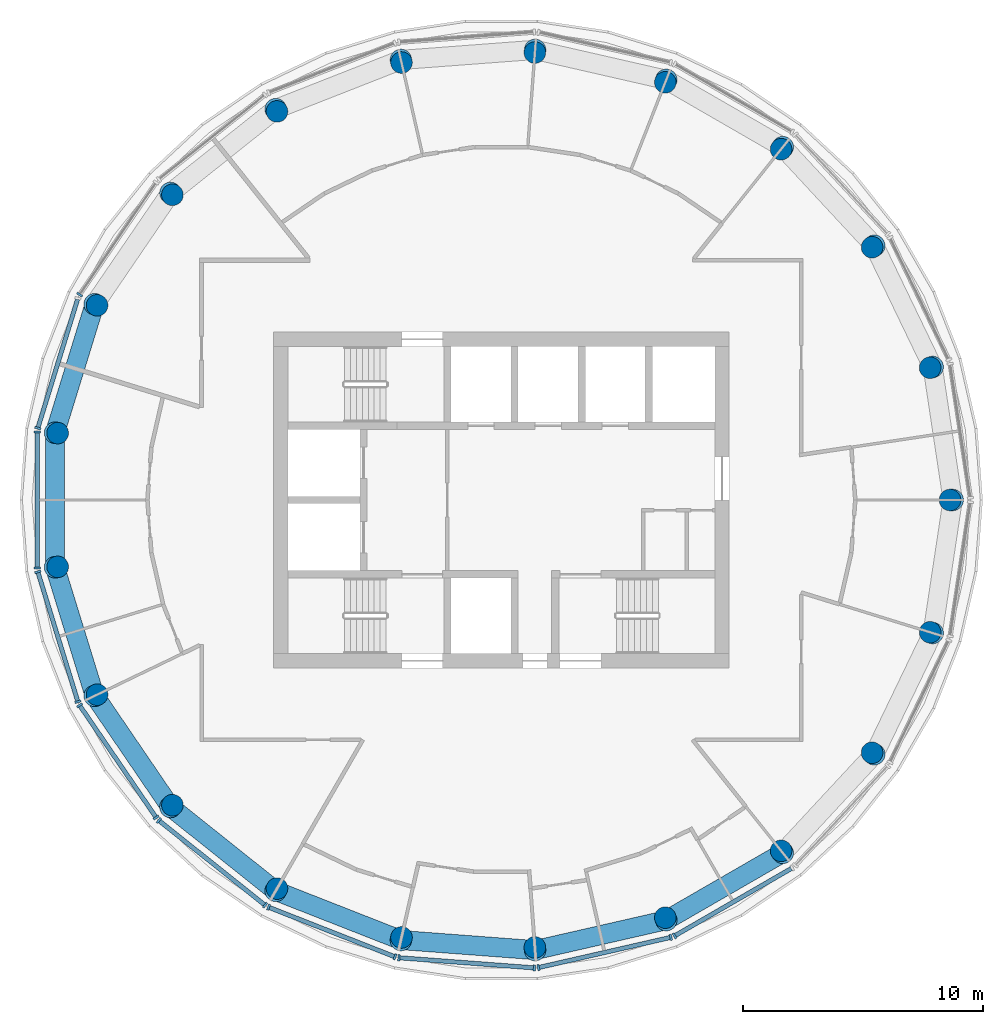
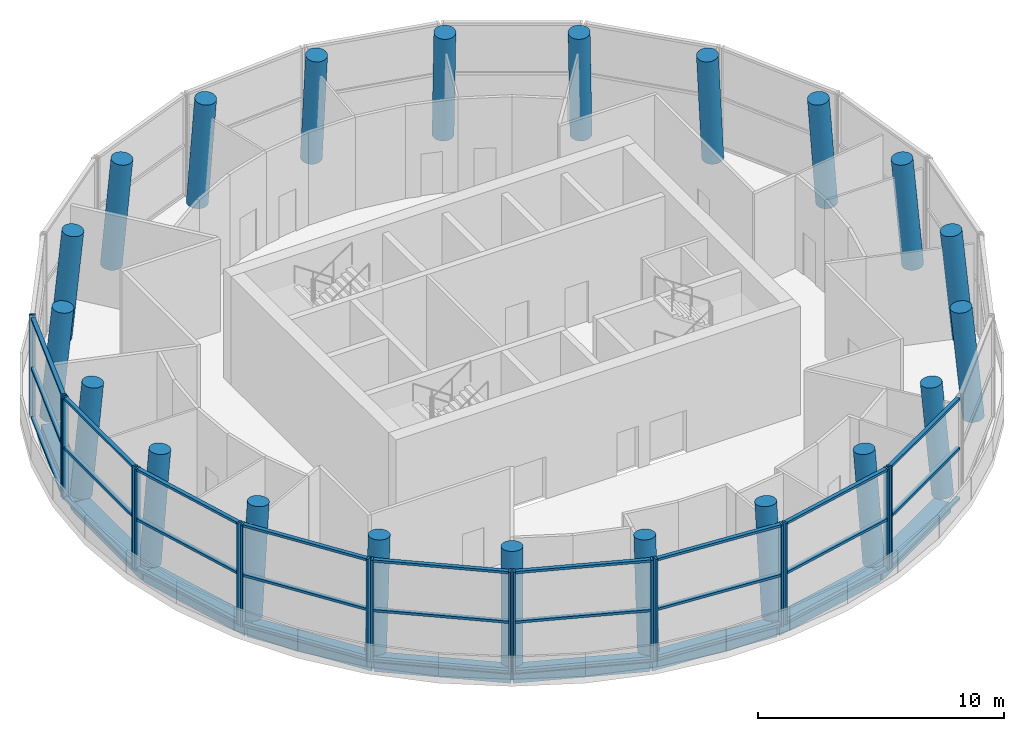
# One storey, part 1 of 11: 44 members, 21 columns, 9 beams, 10 elements without a shape of their own.
"""IFC4 building model written with IfcOpenShell, lengths in metres."""

from ifc_helpers import new_model, si_unit, direction, frame, origin, origin_2d, place, context, subcontext, project, spatial, rectangle, circle, extrude, material, material_profile, profile_set, type_object, element, aggregate, save


model = new_model("IFC4")

# Units and contexts
model_context = context("Model", 3, precision=1e-05, world=origin(), true_north=direction((0.0, 1.0)))
body_context = subcontext(model_context, "Body", "Model", "MODEL_VIEW")
ifc_project = project(units=[si_unit("LENGTHUNIT", "METRE"), si_unit("AREAUNIT", "SQUARE_METRE"), si_unit("VOLUMEUNIT", "CUBIC_METRE"), si_unit("PLANEANGLEUNIT", "RADIAN"), si_unit("MASSUNIT", "GRAM", prefix="KILO")], contexts=[model_context])

# Site, building, storey
site_placement = place(None, origin())
site = spatial("IfcSite", under=ifc_project, at=site_placement, CompositionType="ELEMENT")
building_placement = place(site_placement, origin())
building = spatial("IfcBuilding", under=site, at=building_placement, Name="Tracery Tower", CompositionType="ELEMENT")
storey_placement = place(building_placement, frame((0.0, 0.0, 330.60009765625)))
storey = spatial("IfcBuildingStorey", under=building, at=storey_placement, Name="L86", CompositionType="ELEMENT", Elevation=330.60009765625)

# Columns
ifc_material_1 = material(Name="Concrete C40/50", Category="concrete")
ifc_material_profile_1 = material_profile(ifc_material_1, circle(Radius=0.449951171875, at=origin_2d()), Name="RC D900")
ifc_profile_set_1 = profile_set([ifc_material_profile_1], Name="Concrete C40/50")
column_type = type_object("IfcColumnType", Name="Ring 2 column 900", PredefinedType="COLUMN", material=ifc_profile_set_1)
for number, where, z_axis, x_axis, name in (
    (1, (18.822265625, 0.0, 0.0), (-0.092199863775, 0.0, 0.995740520979), (0.0, -1.0, 0.0), "Ring 2 column 00 at L86"),
    (2, (17.986083984375, 5.5478515625, 0.0), (-0.088103168016, -0.027146760508, 0.995741374645), (0.294463292182, -0.955662790715, 0.0), "Ring 2 column 01 at L86"),
    (3, (15.551513671875, 10.602783203125, 0.0), (-0.076173091106, -0.051907549672, 0.995742570386), (0.563124638155, -0.826371975506, 0.0), "Ring 2 column 02 at L86"),
    (4, (11.7353515625, 14.7158203125, 0.0), (-0.057489878254, -0.072076190356, 0.995740898368), (0.781773136815, -0.623562957972, 0.0), "Ring 2 column 03 at L86"),
    (5, (6.87646484375, 17.52099609375, 0.0), (-0.033674626642, -0.085807270562, 0.995742502778), (0.930882032679, -0.365319916287, 0.0), "Ring 2 column 04 at L86"),
    (6, (1.406494140625, 18.76953125, 0.0), (-0.006887985999, -0.09192985235, 0.995741662228), (0.997204770402, -0.074717105716, 0.0), "Ring 2 column 05 at L86"),
    (7, (-4.188232421875, 18.350341796875, 0.0), (0.020483841301, -0.089903804566, 0.995739784366), (0.975012811615, 0.222148637599, 0.0), "Ring 2 column 06 at L86"),
    (8, (-9.4111328125, 16.300537109375, 0.0), (0.046099868913, -0.07986442134, 0.99573916077), (0.866071776036, 0.499919672301, 0.0), "Ring 2 column 07 at L86"),
    (9, (-13.797607421875, 12.802490234375, 0.0), (0.067574275046, -0.062712168647, 0.995741382717), (0.68024503694, 0.732984781369, 0.0), "Ring 2 column 08 at L86"),
    (10, (-16.958251953125, 8.16650390625, 0.0), (0.083061058472, -0.039977354972, 0.995742271702), (0.433683457211, 0.901065291165, 0.0), "Ring 2 column 09 at L86"),
    (11, (-18.612060546875, 2.805419921875, 0.0), (0.091164420058, -0.013775956809, 0.995740564369), (0.149414828402, 0.988774599721, 0.0), "Ring 2 column 10 at L86"),
    (12, (-18.612060546875, -2.805419921875, 0.0), (0.091164420058, 0.013775956809, 0.995740564369), (-0.149414828402, 0.988774599721, 0.0), "Ring 2 column 11 at L86"),
    (13, (-16.958251953125, -8.166748046875, 0.0), (0.083060908898, 0.040022302445, 0.995740478599), (-0.434079857909, 0.900874395772, 0.0), "Ring 2 column 12 at L86"),
    (14, (-13.797607421875, -12.80224609375, 0.0), (0.067574465758, 0.062667326006, 0.995744192968), (-0.679982542207, 0.733228301618, 0.0), "Ring 2 column 13 at L86"),
    (15, (-9.4111328125, -16.300537109375, 0.0), (0.046099868913, 0.07986442134, 0.99573916077), (-0.866071776036, 0.499919672301, 0.0), "Ring 2 column 14 at L86"),
    (16, (-4.188232421875, -18.350341796875, 0.0), (0.020483841301, 0.089903804566, 0.995739784366), (-0.975012811615, 0.222148637599, 0.0), "Ring 2 column 15 at L86"),
    (17, (1.406494140625, -18.76953125, 0.0), (-0.006887985999, 0.09192985235, 0.995741662228), (-0.997204770402, -0.074717105716, 0.0), "Ring 2 column 16 at L86"),
    (18, (6.87646484375, -17.52099609375, 0.0), (-0.033674626642, 0.085807270562, 0.995742502778), (-0.930882032679, -0.365319916287, 0.0), "Ring 2 column 17 at L86"),
    (19, (11.7353515625, -14.7158203125, 0.0), (-0.057489878254, 0.072076190356, 0.995740898368), (-0.781773136815, -0.623562957972, 0.0), "Ring 2 column 18 at L86"),
    (20, (15.551513671875, -10.602783203125, 0.0), (-0.076173091106, 0.051907549672, 0.995742570386), (-0.563124638155, -0.826371975506, 0.0), "Ring 2 column 19 at L86"),
    (21, (17.986083984375, -5.5478515625, 0.0), (-0.088103168016, 0.027146760508, 0.995741374645), (-0.294463292182, -0.955662790715, 0.0), "Ring 2 column 20 at L86"),
):
    element("IfcColumn", number, at=place(storey_placement, frame(where, z_axis=z_axis, x_axis=x_axis)), inside=storey, type_object=column_type, Name=name, PredefinedType="COLUMN", context=body_context, shape_type="SweptSolid", body=[
        extrude(circle(Radius=0.449951171875, at=origin_2d()), origin(), (0.0, 0.0, 1.0), 5.423095703125),
    ])

# Curtain wall, member
ifc_material_2 = material(Name="Aluminium curtain wall with tinted glass", Category="aluminium")
curtain_wall_type = type_object("IfcCurtainWallType", Name="Glazed crown lower curtain wall", PredefinedType="NOTDEFINED", material=ifc_material_2)
curtain_wall_1_placement = place(storey_placement, origin())
curtain_wall_1 = element("IfcCurtainWall", 22, at=curtain_wall_1_placement, inside=storey, type_object=curtain_wall_type, Name="Glazed crown lower run 08", PredefinedType="NOTDEFINED")
ifc_material_3 = material(Name="Aluminium, bronze anodised", Category="aluminium")
ifc_material_profile_2 = material_profile(ifc_material_3, rectangle(XDim=0.260009765625, YDim=0.090087890625, at=origin_2d()), Name="Glazed crown lower mullion 90 x 260")
ifc_profile_set_2 = profile_set([ifc_material_profile_2], Name="Aluminium, bronze anodised")
member_type_1 = type_object("IfcMemberType", Name="Glazed crown lower mullion 90 x 260", PredefinedType="MULLION", material=ifc_profile_set_2)
member_1_placement = place(storey_placement, frame((-17.5859375, 8.562255859375, 0.0), z_axis=(0.0, 0.0, 1.0), x_axis=(0.826240946572, -0.563316871936, 0.0)))
member_1 = element("IfcMember", 23, at=member_1_placement, type_object=member_type_1, Name="CWB2 mullion 2", PredefinedType="MULLION", context=body_context, shape_type="SweptSolid", body=[
    extrude(rectangle(XDim=0.260009765625, YDim=0.090087890625, at=origin_2d()), origin(), (0.0, 0.0, 1.0), 5.0498046875),
])
aggregate(curtain_wall_1, [member_1])

curtain_wall_2_placement = place(storey_placement, origin())
curtain_wall_2 = element("IfcCurtainWall", 24, at=curtain_wall_2_placement, inside=storey, type_object=curtain_wall_type, Name="Glazed crown lower run 09", PredefinedType="NOTDEFINED")
member_2_placement = place(storey_placement, frame((-19.32861328125, 2.998291015625, 0.0), z_axis=(0.0, 0.0, 1.0), x_axis=(0.955570976561, -0.294761104549, 0.0)))
member_2 = element("IfcMember", 25, at=member_2_placement, type_object=member_type_1, Name="CWB2 mullion 2", PredefinedType="MULLION", context=body_context, shape_type="SweptSolid", body=[
    extrude(rectangle(XDim=0.260009765625, YDim=0.090087890625, at=origin_2d()), origin(), (0.0, 0.0, 1.0), 5.0498046875),
])

# Curtain wall, members
curtain_wall_3_placement = place(storey_placement, origin())
curtain_wall_3 = element("IfcCurtainWall", 26, at=curtain_wall_3_placement, inside=storey, type_object=curtain_wall_type, Name="Glazed crown lower run 10", PredefinedType="NOTDEFINED")
member_3_placement = place(storey_placement, frame((-19.353515625, 2.83203125, 0.0), z_axis=(0.0, 0.0, 1.0), x_axis=(1.0, 0.0, 0.0)))
member_3 = element("IfcMember", 27, at=member_3_placement, type_object=member_type_1, Name="CWB2 mullion 1", PredefinedType="MULLION", context=body_context, shape_type="SweptSolid", body=[
    extrude(rectangle(XDim=0.260009765625, YDim=0.090087890625, at=origin_2d()), origin(), (0.0, 0.0, 1.0), 5.0498046875),
])
member_4_placement = place(storey_placement, frame((-19.353515625, -2.83203125, 0.0), z_axis=(0.0, 0.0, 1.0), x_axis=(1.0, 0.0, 0.0)))
member_4 = element("IfcMember", 28, at=member_4_placement, type_object=member_type_1, Name="CWB2 mullion 2", PredefinedType="MULLION", context=body_context, shape_type="SweptSolid", body=[
    extrude(rectangle(XDim=0.260009765625, YDim=0.090087890625, at=origin_2d()), origin(), (0.0, 0.0, 1.0), 5.0498046875),
])

curtain_wall_4_placement = place(storey_placement, origin())
curtain_wall_4 = element("IfcCurtainWall", 29, at=curtain_wall_4_placement, inside=storey, type_object=curtain_wall_type, Name="Glazed crown lower run 11", PredefinedType="NOTDEFINED")
member_5_placement = place(storey_placement, frame((-19.32861328125, -2.998291015625, 0.0), z_axis=(0.0, 0.0, 1.0), x_axis=(0.955570976561, 0.294761104549, 0.0)))
member_5 = element("IfcMember", 30, at=member_5_placement, type_object=member_type_1, Name="CWB2 mullion 1", PredefinedType="MULLION", context=body_context, shape_type="SweptSolid", body=[
    extrude(rectangle(XDim=0.260009765625, YDim=0.090087890625, at=origin_2d()), origin(), (0.0, 0.0, 1.0), 5.0498046875),
])
member_6_placement = place(storey_placement, frame((-17.658935546875, -8.410888671875, 0.0), z_axis=(0.0, 0.0, 1.0), x_axis=(0.955570976561, 0.294761104549, 0.0)))
member_6 = element("IfcMember", 31, at=member_6_placement, type_object=member_type_1, Name="CWB2 mullion 2", PredefinedType="MULLION", context=body_context, shape_type="SweptSolid", body=[
    extrude(rectangle(XDim=0.260009765625, YDim=0.090087890625, at=origin_2d()), origin(), (0.0, 0.0, 1.0), 5.0498046875),
])

curtain_wall_5_placement = place(storey_placement, origin())
curtain_wall_5 = element("IfcCurtainWall", 32, at=curtain_wall_5_placement, inside=storey, type_object=curtain_wall_type, Name="Glazed crown lower run 12", PredefinedType="NOTDEFINED")
member_7_placement = place(storey_placement, frame((-17.5859375, -8.562255859375, 0.0), z_axis=(0.0, 0.0, 1.0), x_axis=(0.826240946572, 0.563316871936, 0.0)))
member_7 = element("IfcMember", 33, at=member_7_placement, type_object=member_type_1, Name="CWB2 mullion 1", PredefinedType="MULLION", context=body_context, shape_type="SweptSolid", body=[
    extrude(rectangle(XDim=0.260009765625, YDim=0.090087890625, at=origin_2d()), origin(), (0.0, 0.0, 1.0), 5.0498046875),
])
member_8_placement = place(storey_placement, frame((-14.395263671875, -13.2421875, 0.0), z_axis=(0.0, 0.0, 1.0), x_axis=(0.826240946572, 0.563316871936, 0.0)))
member_8 = element("IfcMember", 34, at=member_8_placement, type_object=member_type_1, Name="CWB2 mullion 2", PredefinedType="MULLION", context=body_context, shape_type="SweptSolid", body=[
    extrude(rectangle(XDim=0.260009765625, YDim=0.090087890625, at=origin_2d()), origin(), (0.0, 0.0, 1.0), 5.0498046875),
])

curtain_wall_6_placement = place(storey_placement, origin())
curtain_wall_6 = element("IfcCurtainWall", 35, at=curtain_wall_6_placement, inside=storey, type_object=curtain_wall_type, Name="Glazed crown lower run 13", PredefinedType="NOTDEFINED")
member_9_placement = place(storey_placement, frame((-14.281005859375, -13.365478515625, 0.0), z_axis=(0.0, 0.0, 1.0), x_axis=(0.623492640079, 0.781829219055, 0.0)))
member_9 = element("IfcMember", 36, at=member_9_placement, type_object=member_type_1, Name="CWB2 mullion 1", PredefinedType="MULLION", context=body_context, shape_type="SweptSolid", body=[
    extrude(rectangle(XDim=0.260009765625, YDim=0.090087890625, at=origin_2d()), origin(), (0.0, 0.0, 1.0), 5.0498046875),
])
member_10_placement = place(storey_placement, frame((-9.8525390625, -16.89697265625, 0.0), z_axis=(0.0, 0.0, 1.0), x_axis=(0.623492640079, 0.781829219055, 0.0)))
member_10 = element("IfcMember", 37, at=member_10_placement, type_object=member_type_1, Name="CWB2 mullion 2", PredefinedType="MULLION", context=body_context, shape_type="SweptSolid", body=[
    extrude(rectangle(XDim=0.260009765625, YDim=0.090087890625, at=origin_2d()), origin(), (0.0, 0.0, 1.0), 5.0498046875),
])

curtain_wall_7_placement = place(storey_placement, origin())
curtain_wall_7 = element("IfcCurtainWall", 38, at=curtain_wall_7_placement, inside=storey, type_object=curtain_wall_type, Name="Glazed crown lower run 14", PredefinedType="NOTDEFINED")
member_11_placement = place(storey_placement, frame((-9.70703125, -16.98095703125, 0.0), z_axis=(0.0, 0.0, 1.0), x_axis=(0.365351251459, 0.930869734741, 0.0)))
member_11 = element("IfcMember", 39, at=member_11_placement, type_object=member_type_1, Name="CWB2 mullion 1", PredefinedType="MULLION", context=body_context, shape_type="SweptSolid", body=[
    extrude(rectangle(XDim=0.260009765625, YDim=0.090087890625, at=origin_2d()), origin(), (0.0, 0.0, 1.0), 5.0498046875),
])
member_12_placement = place(storey_placement, frame((-4.434326171875, -19.050537109375, 0.0), z_axis=(0.0, 0.0, 1.0), x_axis=(0.365351251459, 0.930869734741, 0.0)))
member_12 = element("IfcMember", 40, at=member_12_placement, type_object=member_type_1, Name="CWB2 mullion 2", PredefinedType="MULLION", context=body_context, shape_type="SweptSolid", body=[
    extrude(rectangle(XDim=0.260009765625, YDim=0.090087890625, at=origin_2d()), origin(), (0.0, 0.0, 1.0), 5.0498046875),
])

curtain_wall_8_placement = place(storey_placement, origin())
curtain_wall_8 = element("IfcCurtainWall", 41, at=curtain_wall_8_placement, inside=storey, type_object=curtain_wall_type, Name="Glazed crown lower run 15", PredefinedType="NOTDEFINED")
member_13_placement = place(storey_placement, frame((-4.2705078125, -19.087890625, 0.0), z_axis=(0.0, 0.0, 1.0), x_axis=(0.074729462035, 0.997203844509, 0.0)))
member_13 = element("IfcMember", 42, at=member_13_placement, type_object=member_type_1, Name="CWB2 mullion 1", PredefinedType="MULLION", context=body_context, shape_type="SweptSolid", body=[
    extrude(rectangle(XDim=0.260009765625, YDim=0.090087890625, at=origin_2d()), origin(), (0.0, 0.0, 1.0), 5.0498046875),
])
member_14_placement = place(storey_placement, frame((1.3779296875, -19.51123046875, 0.0), z_axis=(0.0, 0.0, 1.0), x_axis=(0.074729462035, 0.997203844509, 0.0)))
member_14 = element("IfcMember", 43, at=member_14_placement, type_object=member_type_1, Name="CWB2 mullion 2", PredefinedType="MULLION", context=body_context, shape_type="SweptSolid", body=[
    extrude(rectangle(XDim=0.260009765625, YDim=0.090087890625, at=origin_2d()), origin(), (0.0, 0.0, 1.0), 5.0498046875),
])

curtain_wall_9_placement = place(storey_placement, origin())
curtain_wall_9 = element("IfcCurtainWall", 44, at=curtain_wall_9_placement, inside=storey, type_object=curtain_wall_type, Name="Glazed crown lower run 16", PredefinedType="NOTDEFINED")
member_15_placement = place(storey_placement, frame((1.54541015625, -19.49853515625, 0.0), z_axis=(0.0, 0.0, 1.0), x_axis=(-0.22253364184, 0.974925011603, 0.0)))
member_15 = element("IfcMember", 45, at=member_15_placement, type_object=member_type_1, Name="CWB2 mullion 1", PredefinedType="MULLION", context=body_context, shape_type="SweptSolid", body=[
    extrude(rectangle(XDim=0.260009765625, YDim=0.090087890625, at=origin_2d()), origin(), (0.0, 0.0, 1.0), 5.0498046875),
])
member_16_placement = place(storey_placement, frame((7.067626953125, -18.238037109375, 0.0), z_axis=(0.0, 0.0, 1.0), x_axis=(-0.22253364184, 0.974925011603, 0.0)))
member_16 = element("IfcMember", 46, at=member_16_placement, type_object=member_type_1, Name="CWB2 mullion 2", PredefinedType="MULLION", context=body_context, shape_type="SweptSolid", body=[
    extrude(rectangle(XDim=0.260009765625, YDim=0.090087890625, at=origin_2d()), origin(), (0.0, 0.0, 1.0), 5.0498046875),
])

# Curtain wall, member
curtain_wall_10_placement = place(storey_placement, origin())
curtain_wall_10 = element("IfcCurtainWall", 47, at=curtain_wall_10_placement, inside=storey, type_object=curtain_wall_type, Name="Glazed crown lower run 17", PredefinedType="NOTDEFINED")
member_17_placement = place(storey_placement, frame((7.22412109375, -18.1767578125, 0.0), z_axis=(0.0, 0.0, 1.0), x_axis=(-0.499993240242, 0.866029306498, 0.0)))
member_17 = element("IfcMember", 48, at=member_17_placement, type_object=member_type_1, Name="CWB2 mullion 1", PredefinedType="MULLION", context=body_context, shape_type="SweptSolid", body=[
    extrude(rectangle(XDim=0.260009765625, YDim=0.090087890625, at=origin_2d()), origin(), (0.0, 0.0, 1.0), 5.0498046875),
])

# Member
ifc_material_4 = material(Name="Aluminium, bronze anodised", Category="aluminium")
ifc_material_profile_3 = material_profile(ifc_material_4, rectangle(XDim=0.179931640625, YDim=0.1201171875, at=origin_2d()), Name="Glazed crown lower transom 120 x 180")
ifc_profile_set_3 = profile_set([ifc_material_profile_3], Name="Aluminium, bronze anodised")
member_type_2 = type_object("IfcMemberType", Name="Glazed crown lower transom 120 x 180", PredefinedType="USERDEFINED", material=ifc_profile_set_3)
member_18_placement = place(storey_placement, frame((-17.672119140625, 8.367919921875, 0.059814453125), z_axis=(-0.294756705663, -0.955572333456, 0.0), x_axis=(0.955572333456, -0.294756705663, 0.0)))
member_18 = element("IfcMember", 49, at=member_18_placement, type_object=member_type_2, Name="CWB2 transom 1.1", ObjectType="TRANSOM", PredefinedType="USERDEFINED", context=body_context, shape_type="SweptSolid", body=[
    extrude(rectangle(XDim=0.179931640625, YDim=0.1201171875, at=origin_2d()), origin(), (0.0, 0.0, 1.0), 5.57421875),
])

member_19_placement = place(storey_placement, frame((-17.672119140625, 8.367919921875, 2.52490234375), z_axis=(-0.294756705663, -0.955572333456, 0.0), x_axis=(0.955572333456, -0.294756705663, 0.0)))
member_19 = element("IfcMember", 50, at=member_19_placement, type_object=member_type_2, Name="CWB2 transom 1.2", ObjectType="TRANSOM", PredefinedType="USERDEFINED", context=body_context, shape_type="SweptSolid", body=[
    extrude(rectangle(XDim=0.179931640625, YDim=0.1201171875, at=origin_2d()), origin(), (0.0, 0.0, 1.0), 5.57421875),
])

member_20_placement = place(storey_placement, frame((-17.672119140625, 8.367919921875, 4.989990234375), z_axis=(-0.294756705663, -0.955572333456, 0.0), x_axis=(0.955572333456, -0.294756705663, 0.0)))
member_20 = element("IfcMember", 51, at=member_20_placement, type_object=member_type_2, Name="CWB2 transom 1.3", ObjectType="TRANSOM", PredefinedType="USERDEFINED", context=body_context, shape_type="SweptSolid", body=[
    extrude(rectangle(XDim=0.179931640625, YDim=0.1201171875, at=origin_2d()), origin(), (0.0, 0.0, 1.0), 5.57421875),
])

aggregate(curtain_wall_2, [member_2, member_18, member_19, member_20])

member_21_placement = place(storey_placement, frame((-19.353515625, 2.787109375, 0.059814453125), z_axis=(0.0, -1.0, 0.0), x_axis=(1.0, 0.0, 0.0)))
member_21 = element("IfcMember", 52, at=member_21_placement, type_object=member_type_2, Name="CWB2 transom 1.1", ObjectType="TRANSOM", PredefinedType="USERDEFINED", context=body_context, shape_type="SweptSolid", body=[
    extrude(rectangle(XDim=0.179931640625, YDim=0.1201171875, at=origin_2d()), origin(), (0.0, 0.0, 1.0), 5.57421875),
])

member_22_placement = place(storey_placement, frame((-19.353515625, 2.787109375, 2.52490234375), z_axis=(0.0, -1.0, 0.0), x_axis=(1.0, 0.0, 0.0)))
member_22 = element("IfcMember", 53, at=member_22_placement, type_object=member_type_2, Name="CWB2 transom 1.2", ObjectType="TRANSOM", PredefinedType="USERDEFINED", context=body_context, shape_type="SweptSolid", body=[
    extrude(rectangle(XDim=0.179931640625, YDim=0.1201171875, at=origin_2d()), origin(), (0.0, 0.0, 1.0), 5.57421875),
])

member_23_placement = place(storey_placement, frame((-19.353515625, 2.787109375, 4.989990234375), z_axis=(0.0, -1.0, 0.0), x_axis=(1.0, 0.0, 0.0)))
member_23 = element("IfcMember", 54, at=member_23_placement, type_object=member_type_2, Name="CWB2 transom 1.3", ObjectType="TRANSOM", PredefinedType="USERDEFINED", context=body_context, shape_type="SweptSolid", body=[
    extrude(rectangle(XDim=0.179931640625, YDim=0.1201171875, at=origin_2d()), origin(), (0.0, 0.0, 1.0), 5.57421875),
])

aggregate(curtain_wall_3, [member_3, member_4, member_21, member_22, member_23])

member_24_placement = place(storey_placement, frame((-19.315185546875, -3.041259765625, 0.059814453125), z_axis=(0.294756705663, -0.955572333456, 0.0), x_axis=(0.955572333456, 0.294756705663, 0.0)))
member_24 = element("IfcMember", 55, at=member_24_placement, type_object=member_type_2, Name="CWB2 transom 1.1", ObjectType="TRANSOM", PredefinedType="USERDEFINED", context=body_context, shape_type="SweptSolid", body=[
    extrude(rectangle(XDim=0.179931640625, YDim=0.1201171875, at=origin_2d()), origin(), (0.0, 0.0, 1.0), 5.57421875),
])

member_25_placement = place(storey_placement, frame((-19.315185546875, -3.041259765625, 2.52490234375), z_axis=(0.294756705663, -0.955572333456, 0.0), x_axis=(0.955572333456, 0.294756705663, 0.0)))
member_25 = element("IfcMember", 56, at=member_25_placement, type_object=member_type_2, Name="CWB2 transom 1.2", ObjectType="TRANSOM", PredefinedType="USERDEFINED", context=body_context, shape_type="SweptSolid", body=[
    extrude(rectangle(XDim=0.179931640625, YDim=0.1201171875, at=origin_2d()), origin(), (0.0, 0.0, 1.0), 5.57421875),
])

member_26_placement = place(storey_placement, frame((-19.315185546875, -3.041259765625, 4.989990234375), z_axis=(0.294756705663, -0.955572333456, 0.0), x_axis=(0.955572333456, 0.294756705663, 0.0)))
member_26 = element("IfcMember", 57, at=member_26_placement, type_object=member_type_2, Name="CWB2 transom 1.3", ObjectType="TRANSOM", PredefinedType="USERDEFINED", context=body_context, shape_type="SweptSolid", body=[
    extrude(rectangle(XDim=0.179931640625, YDim=0.1201171875, at=origin_2d()), origin(), (0.0, 0.0, 1.0), 5.57421875),
])

aggregate(curtain_wall_4, [member_5, member_6, member_24, member_25, member_26])

member_27_placement = place(storey_placement, frame((-17.560791015625, -8.599365234375, 0.059814453125), z_axis=(0.563321875374, -0.826237535292, 0.0), x_axis=(0.826237535292, 0.563321875374, 0.0)))
member_27 = element("IfcMember", 58, at=member_27_placement, type_object=member_type_2, Name="CWB2 transom 1.1", ObjectType="TRANSOM", PredefinedType="USERDEFINED", context=body_context, shape_type="SweptSolid", body=[
    extrude(rectangle(XDim=0.179931640625, YDim=0.1201171875, at=origin_2d()), origin(), (0.0, 0.0, 1.0), 5.57421875),
])

member_28_placement = place(storey_placement, frame((-17.560791015625, -8.599365234375, 2.52490234375), z_axis=(0.563321875374, -0.826237535292, 0.0), x_axis=(0.826237535292, 0.563321875374, 0.0)))
member_28 = element("IfcMember", 59, at=member_28_placement, type_object=member_type_2, Name="CWB2 transom 1.2", ObjectType="TRANSOM", PredefinedType="USERDEFINED", context=body_context, shape_type="SweptSolid", body=[
    extrude(rectangle(XDim=0.179931640625, YDim=0.1201171875, at=origin_2d()), origin(), (0.0, 0.0, 1.0), 5.57421875),
])

member_29_placement = place(storey_placement, frame((-17.560791015625, -8.599365234375, 4.989990234375), z_axis=(0.563321875374, -0.826237535292, 0.0), x_axis=(0.826237535292, 0.563321875374, 0.0)))
member_29 = element("IfcMember", 60, at=member_29_placement, type_object=member_type_2, Name="CWB2 transom 1.3", ObjectType="TRANSOM", PredefinedType="USERDEFINED", context=body_context, shape_type="SweptSolid", body=[
    extrude(rectangle(XDim=0.179931640625, YDim=0.1201171875, at=origin_2d()), origin(), (0.0, 0.0, 1.0), 5.57421875),
])

aggregate(curtain_wall_5, [member_7, member_8, member_27, member_28, member_29])

member_30_placement = place(storey_placement, frame((-14.245849609375, -13.3935546875, 0.059814453125), z_axis=(0.781846373242, -0.623471128962, 0.0), x_axis=(0.623471128962, 0.781846373242, 0.0)))
member_30 = element("IfcMember", 61, at=member_30_placement, type_object=member_type_2, Name="CWB2 transom 1.1", ObjectType="TRANSOM", PredefinedType="USERDEFINED", context=body_context, shape_type="SweptSolid", body=[
    extrude(rectangle(XDim=0.179931640625, YDim=0.1201171875, at=origin_2d()), origin(), (0.0, 0.0, 1.0), 5.57421875),
])

member_31_placement = place(storey_placement, frame((-14.245849609375, -13.3935546875, 2.52490234375), z_axis=(0.781846373242, -0.623471128962, 0.0), x_axis=(0.623471128962, 0.781846373242, 0.0)))
member_31 = element("IfcMember", 62, at=member_31_placement, type_object=member_type_2, Name="CWB2 transom 1.2", ObjectType="TRANSOM", PredefinedType="USERDEFINED", context=body_context, shape_type="SweptSolid", body=[
    extrude(rectangle(XDim=0.179931640625, YDim=0.1201171875, at=origin_2d()), origin(), (0.0, 0.0, 1.0), 5.57421875),
])

member_32_placement = place(storey_placement, frame((-14.245849609375, -13.3935546875, 4.989990234375), z_axis=(0.781846373242, -0.623471128962, 0.0), x_axis=(0.623471128962, 0.781846373242, 0.0)))
member_32 = element("IfcMember", 63, at=member_32_placement, type_object=member_type_2, Name="CWB2 transom 1.3", ObjectType="TRANSOM", PredefinedType="USERDEFINED", context=body_context, shape_type="SweptSolid", body=[
    extrude(rectangle(XDim=0.179931640625, YDim=0.1201171875, at=origin_2d()), origin(), (0.0, 0.0, 1.0), 5.57421875),
])

aggregate(curtain_wall_6, [member_9, member_10, member_30, member_31, member_32])

member_33_placement = place(storey_placement, frame((-9.6650390625, -16.99755859375, 0.059814453125), z_axis=(0.930876546596, -0.365333895222, 0.0), x_axis=(0.365333895222, 0.930876546596, 0.0)))
member_33 = element("IfcMember", 64, at=member_33_placement, type_object=member_type_2, Name="CWB2 transom 1.1", ObjectType="TRANSOM", PredefinedType="USERDEFINED", context=body_context, shape_type="SweptSolid", body=[
    extrude(rectangle(XDim=0.179931640625, YDim=0.1201171875, at=origin_2d()), origin(), (0.0, 0.0, 1.0), 5.573974609375),
])

member_34_placement = place(storey_placement, frame((-9.6650390625, -16.99755859375, 2.52490234375), z_axis=(0.930876546596, -0.365333895222, 0.0), x_axis=(0.365333895222, 0.930876546596, 0.0)))
member_34 = element("IfcMember", 65, at=member_34_placement, type_object=member_type_2, Name="CWB2 transom 1.2", ObjectType="TRANSOM", PredefinedType="USERDEFINED", context=body_context, shape_type="SweptSolid", body=[
    extrude(rectangle(XDim=0.179931640625, YDim=0.1201171875, at=origin_2d()), origin(), (0.0, 0.0, 1.0), 5.573974609375),
])

member_35_placement = place(storey_placement, frame((-9.6650390625, -16.99755859375, 4.989990234375), z_axis=(0.930876546596, -0.365333895222, 0.0), x_axis=(0.365333895222, 0.930876546596, 0.0)))
member_35 = element("IfcMember", 66, at=member_35_placement, type_object=member_type_2, Name="CWB2 transom 1.3", ObjectType="TRANSOM", PredefinedType="USERDEFINED", context=body_context, shape_type="SweptSolid", body=[
    extrude(rectangle(XDim=0.179931640625, YDim=0.1201171875, at=origin_2d()), origin(), (0.0, 0.0, 1.0), 5.573974609375),
])

aggregate(curtain_wall_7, [member_11, member_12, member_33, member_34, member_35])

member_36_placement = place(storey_placement, frame((-4.2255859375, -19.09130859375, 0.059814453125), z_axis=(0.997204533876, -0.074720262421, 0.0), x_axis=(0.074720262421, 0.997204533876, 0.0)))
member_36 = element("IfcMember", 67, at=member_36_placement, type_object=member_type_2, Name="CWB2 transom 1.1", ObjectType="TRANSOM", PredefinedType="USERDEFINED", context=body_context, shape_type="SweptSolid", body=[
    extrude(rectangle(XDim=0.179931640625, YDim=0.1201171875, at=origin_2d()), origin(), (0.0, 0.0, 1.0), 5.57421875),
])

member_37_placement = place(storey_placement, frame((-4.2255859375, -19.09130859375, 2.52490234375), z_axis=(0.997204533876, -0.074720262421, 0.0), x_axis=(0.074720262421, 0.997204533876, 0.0)))
member_37 = element("IfcMember", 68, at=member_37_placement, type_object=member_type_2, Name="CWB2 transom 1.2", ObjectType="TRANSOM", PredefinedType="USERDEFINED", context=body_context, shape_type="SweptSolid", body=[
    extrude(rectangle(XDim=0.179931640625, YDim=0.1201171875, at=origin_2d()), origin(), (0.0, 0.0, 1.0), 5.57421875),
])

member_38_placement = place(storey_placement, frame((-4.2255859375, -19.09130859375, 4.989990234375), z_axis=(0.997204533876, -0.074720262421, 0.0), x_axis=(0.074720262421, 0.997204533876, 0.0)))
member_38 = element("IfcMember", 69, at=member_38_placement, type_object=member_type_2, Name="CWB2 transom 1.3", ObjectType="TRANSOM", PredefinedType="USERDEFINED", context=body_context, shape_type="SweptSolid", body=[
    extrude(rectangle(XDim=0.179931640625, YDim=0.1201171875, at=origin_2d()), origin(), (0.0, 0.0, 1.0), 5.57421875),
])

aggregate(curtain_wall_8, [member_13, member_14, member_36, member_37, member_38])

member_39_placement = place(storey_placement, frame((1.58935546875, -19.488525390625, 0.059814453125), z_axis=(0.974922890174, 0.222542935665, 0.0), x_axis=(-0.222542935665, 0.974922890174, 0.0)))
member_39 = element("IfcMember", 70, at=member_39_placement, type_object=member_type_2, Name="CWB2 transom 1.1", ObjectType="TRANSOM", PredefinedType="USERDEFINED", context=body_context, shape_type="SweptSolid", body=[
    extrude(rectangle(XDim=0.179931640625, YDim=0.1201171875, at=origin_2d()), origin(), (0.0, 0.0, 1.0), 5.57421875),
])

member_40_placement = place(storey_placement, frame((1.58935546875, -19.488525390625, 2.52490234375), z_axis=(0.974922890174, 0.222542935665, 0.0), x_axis=(-0.222542935665, 0.974922890174, 0.0)))
member_40 = element("IfcMember", 71, at=member_40_placement, type_object=member_type_2, Name="CWB2 transom 1.2", ObjectType="TRANSOM", PredefinedType="USERDEFINED", context=body_context, shape_type="SweptSolid", body=[
    extrude(rectangle(XDim=0.179931640625, YDim=0.1201171875, at=origin_2d()), origin(), (0.0, 0.0, 1.0), 5.57421875),
])

member_41_placement = place(storey_placement, frame((1.58935546875, -19.488525390625, 4.989990234375), z_axis=(0.974922890174, 0.222542935665, 0.0), x_axis=(-0.222542935665, 0.974922890174, 0.0)))
member_41 = element("IfcMember", 72, at=member_41_placement, type_object=member_type_2, Name="CWB2 transom 1.3", ObjectType="TRANSOM", PredefinedType="USERDEFINED", context=body_context, shape_type="SweptSolid", body=[
    extrude(rectangle(XDim=0.179931640625, YDim=0.1201171875, at=origin_2d()), origin(), (0.0, 0.0, 1.0), 5.57421875),
])

aggregate(curtain_wall_9, [member_15, member_16, member_39, member_40, member_41])

member_42_placement = place(storey_placement, frame((7.26318359375, -18.154296875, 0.059814453125), z_axis=(0.866024396211, 0.500001745165, 0.0), x_axis=(-0.500001745165, 0.866024396211, 0.0)))
member_42 = element("IfcMember", 73, at=member_42_placement, type_object=member_type_2, Name="CWB2 transom 1.1", ObjectType="TRANSOM", PredefinedType="USERDEFINED", context=body_context, shape_type="SweptSolid", body=[
    extrude(rectangle(XDim=0.179931640625, YDim=0.1201171875, at=origin_2d()), origin(), (0.0, 0.0, 1.0), 5.57421875),
])

member_43_placement = place(storey_placement, frame((7.26318359375, -18.154296875, 2.52490234375), z_axis=(0.866024396211, 0.500001745165, 0.0), x_axis=(-0.500001745165, 0.866024396211, 0.0)))
member_43 = element("IfcMember", 74, at=member_43_placement, type_object=member_type_2, Name="CWB2 transom 1.2", ObjectType="TRANSOM", PredefinedType="USERDEFINED", context=body_context, shape_type="SweptSolid", body=[
    extrude(rectangle(XDim=0.179931640625, YDim=0.1201171875, at=origin_2d()), origin(), (0.0, 0.0, 1.0), 5.57421875),
])

member_44_placement = place(storey_placement, frame((7.26318359375, -18.154296875, 4.989990234375), z_axis=(0.866024396211, 0.500001745165, 0.0), x_axis=(-0.500001745165, 0.866024396211, 0.0)))
member_44 = element("IfcMember", 75, at=member_44_placement, type_object=member_type_2, Name="CWB2 transom 1.3", ObjectType="TRANSOM", PredefinedType="USERDEFINED", context=body_context, shape_type="SweptSolid", body=[
    extrude(rectangle(XDim=0.179931640625, YDim=0.1201171875, at=origin_2d()), origin(), (0.0, 0.0, 1.0), 5.57421875),
])

aggregate(curtain_wall_10, [member_17, member_42, member_43, member_44])

# Beams
ifc_material_5 = material(Name="Concrete C40/50", Category="concrete")
ifc_material_profile_4 = material_profile(ifc_material_5, rectangle(XDim=0.800048828125, YDim=0.449951171875, at=origin_2d()), Name="RC 800x450")
ifc_profile_set_4 = profile_set([ifc_material_profile_4], Name="Concrete C40/50")
beam_type = type_object("IfcBeamType", Name="Perimeter band beam 800x450", PredefinedType="BEAM", material=ifc_profile_set_4)
beam_1_placement = place(storey_placement, frame((-16.958251953125, 8.16650390625, -0.5751953125), z_axis=(-0.294776851839, -0.955566118916, 0.0), x_axis=(0.955566118916, -0.294776851839, 0.0)))
element("IfcBeam", 76, at=beam_1_placement, inside=storey, type_object=beam_type, Name="Perimeter beam 2.09 under L86", PredefinedType="BEAM", context=body_context, shape_type="SweptSolid", body=[
    extrude(rectangle(XDim=0.800048828125, YDim=0.449951171875, at=origin_2d()), origin(), (0.0, 0.0, 1.0), 5.6103515625),
])
beam_2_placement = place(storey_placement, frame((-18.612060546875, 2.805419921875, -0.5751953125), z_axis=(0.0, -1.0, 0.0), x_axis=(1.0, 0.0, 0.0)))
element("IfcBeam", 77, at=beam_2_placement, inside=storey, type_object=beam_type, Name="Perimeter beam 2.10 under L86", PredefinedType="BEAM", context=body_context, shape_type="SweptSolid", body=[
    extrude(rectangle(XDim=0.800048828125, YDim=0.449951171875, at=origin_2d()), origin(), (0.0, 0.0, 1.0), 5.61083984375),
])
for number, where, z_axis, x_axis, name in (
    (78, (-18.612060546875, -2.805419921875, -0.5751953125), (0.294764594813, -0.955569899926, 0.0), (0.955569899926, 0.294764594813, 0.0), "Perimeter beam 2.11 under L86"),
    (79, (-16.958251953125, -8.166748046875, -0.5751953125), (0.5633462764, -0.826220898348, 0.0), (0.826220898348, 0.5633462764, 0.0), "Perimeter beam 2.12 under L86"),
    (80, (-13.797607421875, -12.80224609375, -0.5751953125), (0.781814605872, -0.623510963853, 0.0), (0.623510963853, 0.781814605872, 0.0), "Perimeter beam 2.13 under L86"),
):
    element("IfcBeam", number, at=place(storey_placement, frame(where, z_axis=z_axis, x_axis=x_axis)), inside=storey, type_object=beam_type, Name=name, PredefinedType="BEAM", context=body_context, shape_type="SweptSolid", body=[
        extrude(rectangle(XDim=0.800048828125, YDim=0.449951171875, at=origin_2d()), origin(), (0.0, 0.0, 1.0), 5.610595703125),
    ])
beam_3_placement = place(storey_placement, frame((-9.4111328125, -16.300537109375, -0.5751953125), z_axis=(0.930875728468, -0.365335979817, 0.0), x_axis=(0.365335979817, 0.930875728468, 0.0)))
element("IfcBeam", 81, at=beam_3_placement, inside=storey, type_object=beam_type, Name="Perimeter beam 2.14 under L86", PredefinedType="BEAM", context=body_context, shape_type="SweptSolid", body=[
    extrude(rectangle(XDim=0.800048828125, YDim=0.449951171875, at=origin_2d()), origin(), (0.0, 0.0, 1.0), 5.61083984375),
])
beam_4_placement = place(storey_placement, frame((-4.188232421875, -18.350341796875, -0.5751953125), z_axis=(0.997204824387, -0.07471638521, 0.0), x_axis=(0.07471638521, 0.997204824387, 0.0)))
element("IfcBeam", 82, at=beam_4_placement, inside=storey, type_object=beam_type, Name="Perimeter beam 2.15 under L86", PredefinedType="BEAM", context=body_context, shape_type="SweptSolid", body=[
    extrude(rectangle(XDim=0.800048828125, YDim=0.449951171875, at=origin_2d()), origin(), (0.0, 0.0, 1.0), 5.6103515625),
])
for number, where, z_axis, x_axis, name in (
    (83, (1.406494140625, -18.76953125, -0.5751953125), (0.974925977366, 0.222529410768, 0.0), (-0.222529410768, 0.974925977366, 0.0), "Perimeter beam 2.16 under L86"),
    (84, (6.87646484375, -17.52099609375, -0.5751953125), (0.866033412818, 0.49998612769, 0.0), (-0.49998612769, 0.866033412818, 0.0), "Perimeter beam 2.17 under L86"),
):
    element("IfcBeam", number, at=place(storey_placement, frame(where, z_axis=z_axis, x_axis=x_axis)), inside=storey, type_object=beam_type, Name=name, PredefinedType="BEAM", context=body_context, shape_type="SweptSolid", body=[
        extrude(rectangle(XDim=0.800048828125, YDim=0.449951171875, at=origin_2d()), origin(), (0.0, 0.0, 1.0), 5.610595703125),
    ])

save(model, "model.ifc")
